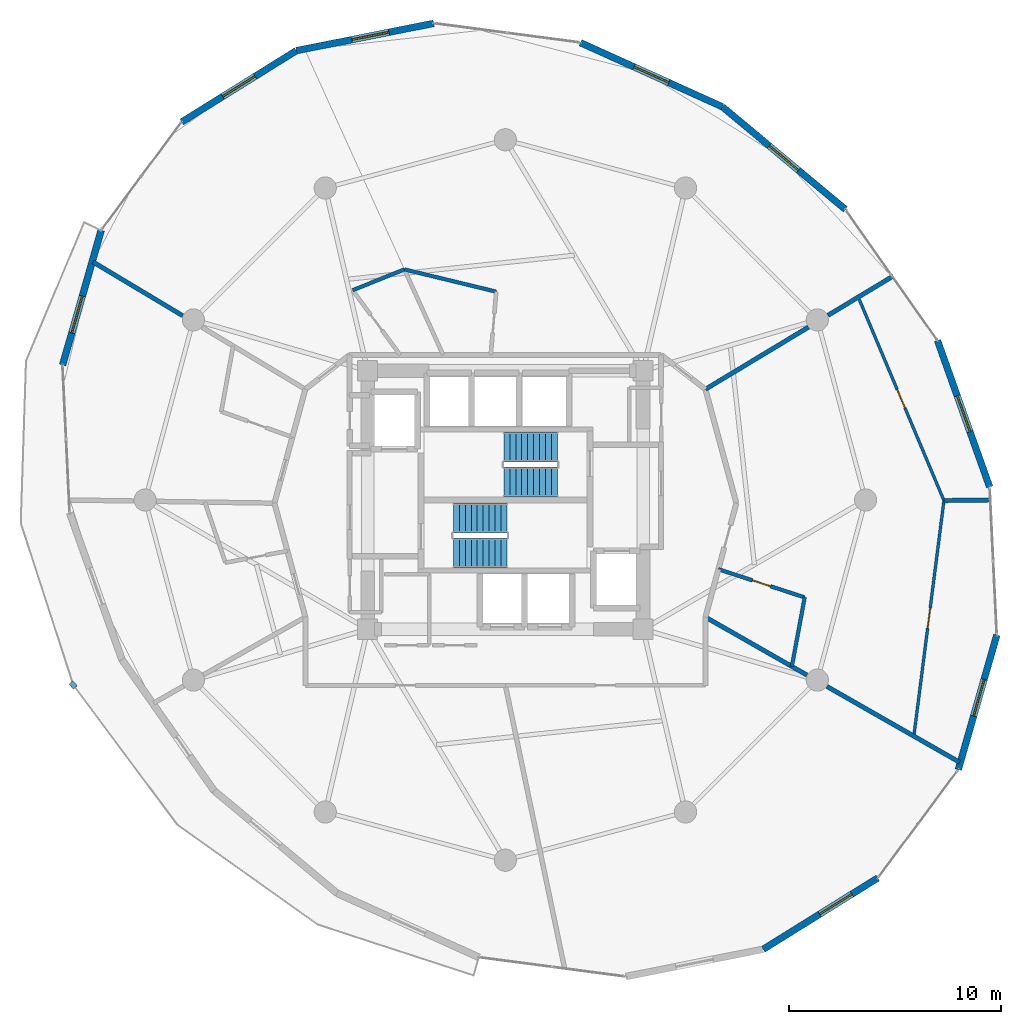
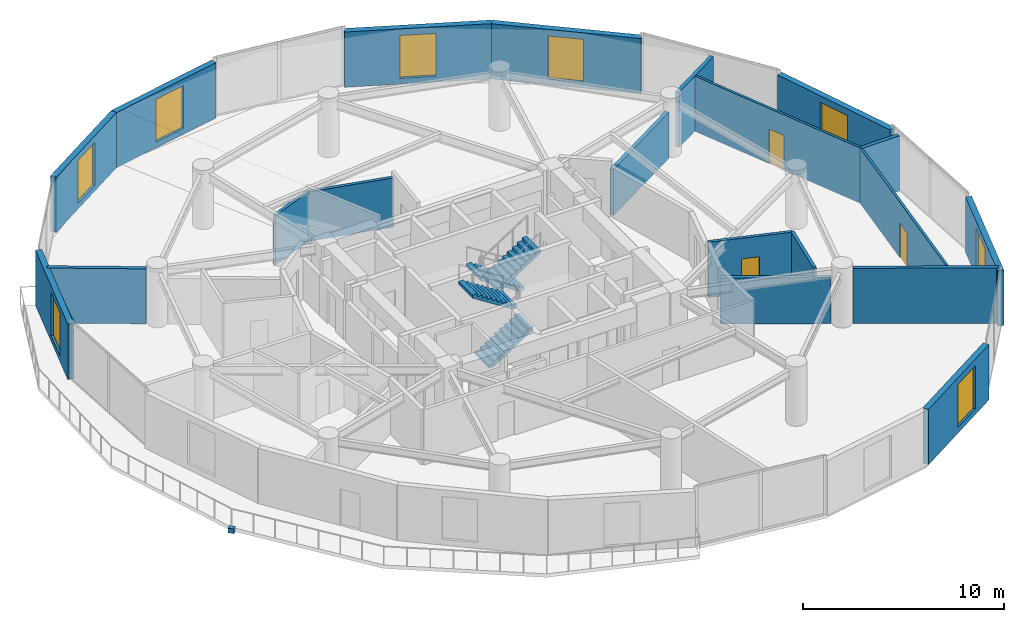
# One storey, part 20 of 22: 20 walls, 8 windows, 4 stair flights, 3 doors, 1 discrete accessory, 11 openings, 2 elements without a shape of their own.
"""IFC4 building model written with IfcOpenShell, lengths in metres."""

from ifc_helpers import new_model, si_unit, direction, frame, frame_2d, origin, origin_2d, place, context, subcontext, project, spatial, polyline, rectangle, outline, extrude, material, layer, layer_set, type_object, element, fill, aggregate, save


model = new_model("IFC4")

# Units and contexts
model_context = context("Model", 3, precision=1e-05, world=origin(), true_north=direction((0.0, 1.0)))
body_context = subcontext(model_context, "Body", "Model", "MODEL_VIEW")
ifc_project = project(units=[si_unit("LENGTHUNIT", "METRE"), si_unit("AREAUNIT", "SQUARE_METRE"), si_unit("VOLUMEUNIT", "CUBIC_METRE"), si_unit("PLANEANGLEUNIT", "RADIAN"), si_unit("MASSUNIT", "GRAM", prefix="KILO")], contexts=[model_context])

# Site, building, storey
site_placement = place(None, origin())
site = spatial("IfcSite", under=ifc_project, at=site_placement, CompositionType="ELEMENT")
building_placement = place(site_placement, origin())
building = spatial("IfcBuilding", under=site, at=building_placement, Name="Solvirekh Grand Hotel", CompositionType="ELEMENT")
storey_placement = place(building_placement, frame((0.0, 0.0, 153.0)))
storey = spatial("IfcBuildingStorey", under=building, at=storey_placement, Name="L39", CompositionType="ELEMENT", Elevation=153.0)

# Wall, opening, window
ifc_material_1 = material(Name="Precast concrete C45/55", Category="concrete")
ifc_layer_1 = layer(ifc_material_1, 0.320068359375)
ifc_layer_set_1 = layer_set([ifc_layer_1], Name="Precast concrete C45/55")
wall_type_1 = type_object("IfcWallType", Name="ExtLobbyWall_RC320", PredefinedType="SOLIDWALL", material=ifc_layer_set_1)
wall_1_placement = place(storey_placement, frame((23.195068359375, -6.368896484375, 0.0), z_axis=(0.0, 0.0, 1.0), x_axis=(-0.275067292431, -0.961424976082, 0.0)))
wall_1 = element("IfcWall", 1, at=wall_1_placement, inside=storey, type_object=wall_type_1, Name="L39 exterior structural wall chord 2", PredefinedType="SOLIDWALL", context=body_context, shape_type="SweptSolid", body=[
    extrude(rectangle(XDim=6.61328125, YDim=0.320068359375, at=frame_2d((3.306640625, 0.0))), origin(), (0.0, 0.0, 1.0), 3.35009765625),
])
opening_1_placement = place(wall_1_placement, frame((2.179931640625, 0.0, 0.35009765625)))
opening_1 = element("IfcOpeningElement", 2, at=opening_1_placement, cuts=wall_1, Name="Opening W02", PredefinedType="OPENING", context=body_context, shape_type="SweptSolid", body=[
    extrude(rectangle(XDim=1.800048828125, YDim=2.60009765625, at=frame_2d((0.89990234375, 1.300048828125))), frame((0.0, 0.169921875, 0.0), z_axis=(0.0, -1.0, 0.0), x_axis=(1.0, 0.0, 0.0)), (0.0, 0.0, 1.0), 0.340087890625),
])
ifc_material_2 = material(Name="Low-E Tinted Bronze Laminated Glass", Category="aluminium")
window_type = type_object("IfcWindowType", Name="Win_LobbyExt_1800X2600", PartitioningType="SINGLE_PANEL", PredefinedType="WINDOW", material=ifc_material_2)
window_1_placement = place(opening_1_placement, origin())
window_1 = element("IfcWindow", 3, at=window_1_placement, inside=storey, type_object=window_type, Name="L39 panoramic bronze-framed window 2", OverallHeight=2.60009765625, OverallWidth=1.800048828125, PartitioningType="SINGLE_PANEL", PredefinedType="WINDOW", context=body_context, shape_type="SweptSolid", body=[
    extrude(rectangle(XDim=1.800048828125, YDim=2.60009765625, at=frame_2d((0.89990234375, 1.300048828125))), frame((0.0, 0.030029296875, 0.0), z_axis=(0.0, -1.0, 0.0), x_axis=(1.0, 0.0, 0.0)), (0.0, 0.0, 1.0), 0.06005859375),
])
fill(opening_1, window_1)

wall_2_placement = place(storey_placement, frame((20.39306640625, 7.532958984375, 0.0), z_axis=(0.0, 0.0, 1.0), x_axis=(0.335384656609, -0.942081276808, 0.0)))
wall_2 = element("IfcWall", 4, at=wall_2_placement, inside=storey, type_object=wall_type_1, Name="L39 exterior structural wall chord 4", PredefinedType="SOLIDWALL", context=body_context, shape_type="SweptSolid", body=[
    extrude(rectangle(XDim=7.346435546875, YDim=0.320068359375, at=frame_2d((3.67333984375, 0.0))), origin(), (0.0, 0.0, 1.0), 3.35009765625),
])
opening_2_placement = place(wall_2_placement, frame((2.77294921875, 0.0, 0.35009765625)))
opening_2 = element("IfcOpeningElement", 5, at=opening_2_placement, cuts=wall_2, Name="Opening W02", PredefinedType="OPENING", context=body_context, shape_type="SweptSolid", body=[
    extrude(rectangle(XDim=1.800048828125, YDim=2.60009765625, at=frame_2d((0.89990234375, 1.300048828125))), frame((0.0, 0.169921875, 0.0), z_axis=(0.0, -1.0, 0.0), x_axis=(1.0, 0.0, 0.0)), (0.0, 0.0, 1.0), 0.340087890625),
])
window_2_placement = place(opening_2_placement, origin())
window_2 = element("IfcWindow", 6, at=window_2_placement, inside=storey, type_object=window_type, Name="L39 panoramic bronze-framed window 4", OverallHeight=2.60009765625, OverallWidth=1.800048828125, PartitioningType="SINGLE_PANEL", PredefinedType="WINDOW", context=body_context, shape_type="SweptSolid", body=[
    extrude(rectangle(XDim=1.800048828125, YDim=2.60009765625, at=frame_2d((0.89990234375, 1.300048828125))), frame((0.0, 0.030029296875, 0.0), z_axis=(0.0, -1.0, 0.0), x_axis=(1.0, 0.0, 0.0)), (0.0, 0.0, 1.0), 0.06005859375),
])
fill(opening_2, window_2)

wall_3_placement = place(storey_placement, frame((10.240966796875, 18.55810546875, 0.0), z_axis=(0.0, 0.0, 1.0), x_axis=(0.767985599943, -0.640467109445, 0.0)))
wall_3 = element("IfcWall", 7, at=wall_3_placement, inside=storey, type_object=wall_type_1, Name="L39 exterior structural wall chord 6", PredefinedType="SOLIDWALL", context=body_context, shape_type="SweptSolid", body=[
    extrude(rectangle(XDim=7.55859375, YDim=0.320068359375, at=frame_2d((3.779296875, 0.0))), origin(), (0.0, 0.0, 1.0), 3.35009765625),
])
opening_3_placement = place(wall_3_placement, frame((2.87890625, 0.0, 0.35009765625)))
opening_3 = element("IfcOpeningElement", 8, at=opening_3_placement, cuts=wall_3, Name="Opening W02", PredefinedType="OPENING", context=body_context, shape_type="SweptSolid", body=[
    extrude(rectangle(XDim=1.800048828125, YDim=2.60009765625, at=frame_2d((0.89990234375, 1.300048828125))), frame((0.0, 0.169921875, 0.0), z_axis=(0.0, -1.0, 0.0), x_axis=(1.0, 0.0, 0.0)), (0.0, 0.0, 1.0), 0.340087890625),
])
window_3_placement = place(opening_3_placement, origin())
window_3 = element("IfcWindow", 9, at=window_3_placement, inside=storey, type_object=window_type, Name="L39 panoramic bronze-framed window 6", OverallHeight=2.60009765625, OverallWidth=1.800048828125, PartitioningType="SINGLE_PANEL", PredefinedType="WINDOW", context=body_context, shape_type="SweptSolid", body=[
    extrude(rectangle(XDim=1.800048828125, YDim=2.60009765625, at=frame_2d((0.89990234375, 1.300048828125))), frame((0.0, 0.030029296875, 0.0), z_axis=(0.0, -1.0, 0.0), x_axis=(1.0, 0.0, 0.0)), (0.0, 0.0, 1.0), 0.06005859375),
])
fill(opening_3, window_3)

wall_4_placement = place(storey_placement, frame((3.5458984375, 21.5830078125, 0.0), z_axis=(0.0, 0.0, 1.0), x_axis=(0.911303033268, -0.411736300995, 0.0)))
wall_4 = element("IfcWall", 10, at=wall_4_placement, inside=storey, type_object=wall_type_1, Name="L39 exterior structural wall chord 7", PredefinedType="SOLIDWALL", context=body_context, shape_type="SweptSolid", body=[
    extrude(rectangle(XDim=7.3466796875, YDim=0.320068359375, at=frame_2d((3.67333984375, 0.0))), origin(), (0.0, 0.0, 1.0), 3.35009765625),
])
opening_4_placement = place(wall_4_placement, frame((2.77294921875, 0.0, 0.35009765625)))
opening_4 = element("IfcOpeningElement", 11, at=opening_4_placement, cuts=wall_4, Name="Opening W02", PredefinedType="OPENING", context=body_context, shape_type="SweptSolid", body=[
    extrude(rectangle(XDim=1.800048828125, YDim=2.60009765625, at=frame_2d((0.89990234375, 1.300048828125))), frame((0.0, 0.169921875, 0.0), z_axis=(0.0, -1.0, 0.0), x_axis=(1.0, 0.0, 0.0)), (0.0, 0.0, 1.0), 0.340087890625),
])
window_4_placement = place(opening_4_placement, origin())
window_4 = element("IfcWindow", 12, at=window_4_placement, inside=storey, type_object=window_type, Name="L39 panoramic bronze-framed window 7", OverallHeight=2.60009765625, OverallWidth=1.800048828125, PartitioningType="SINGLE_PANEL", PredefinedType="WINDOW", context=body_context, shape_type="SweptSolid", body=[
    extrude(rectangle(XDim=1.800048828125, YDim=2.60009765625, at=frame_2d((0.89990234375, 1.300048828125))), frame((0.0, 0.030029296875, 0.0), z_axis=(0.0, -1.0, 0.0), x_axis=(1.0, 0.0, 0.0)), (0.0, 0.0, 1.0), 0.06005859375),
])
fill(opening_4, window_4)

wall_5_placement = place(storey_placement, frame((-9.868896484375, 21.205078125, 0.0), z_axis=(0.0, 0.0, 1.0), x_axis=(0.980781820462, 0.195107715508, 0.0)))
wall_5 = element("IfcWall", 13, at=wall_5_placement, inside=storey, type_object=wall_type_1, Name="L39 exterior structural wall chord 9", PredefinedType="SOLIDWALL", context=body_context, shape_type="SweptSolid", body=[
    extrude(rectangle(XDim=6.61181640625, YDim=0.320068359375, at=frame_2d((3.305908203125, 0.0))), origin(), (0.0, 0.0, 1.0), 3.35009765625),
])
opening_5_placement = place(wall_5_placement, frame((2.660888671875, 0.0, 0.35009765625)))
opening_5 = element("IfcOpeningElement", 14, at=opening_5_placement, cuts=wall_5, Name="Opening W02", PredefinedType="OPENING", context=body_context, shape_type="SweptSolid", body=[
    extrude(rectangle(XDim=1.800048828125, YDim=2.60009765625, at=frame_2d((0.89990234375, 1.300048828125))), frame((0.0, 0.169921875, 0.0), z_axis=(0.0, -1.0, 0.0), x_axis=(1.0, 0.0, 0.0)), (0.0, 0.0, 1.0), 0.340087890625),
])
window_5_placement = place(opening_5_placement, origin())
window_5 = element("IfcWindow", 15, at=window_5_placement, inside=storey, type_object=window_type, Name="L39 panoramic bronze-framed window 9", OverallHeight=2.60009765625, OverallWidth=1.800048828125, PartitioningType="SINGLE_PANEL", PredefinedType="WINDOW", context=body_context, shape_type="SweptSolid", body=[
    extrude(rectangle(XDim=1.800048828125, YDim=2.60009765625, at=frame_2d((0.89990234375, 1.300048828125))), frame((0.0, 0.030029296875, 0.0), z_axis=(0.0, -1.0, 0.0), x_axis=(1.0, 0.0, 0.0)), (0.0, 0.0, 1.0), 0.06005859375),
])
fill(opening_5, window_5)

wall_6_placement = place(storey_placement, frame((-15.277099609375, 17.839111328125, 0.0), z_axis=(0.0, 0.0, 1.0), x_axis=(0.848995855188, 0.528399505935, 0.0)))
wall_6 = element("IfcWall", 16, at=wall_6_placement, inside=storey, type_object=wall_type_1, Name="L39 exterior structural wall chord 10", PredefinedType="SOLIDWALL", context=body_context, shape_type="SweptSolid", body=[
    extrude(rectangle(XDim=6.3701171875, YDim=0.320068359375, at=frame_2d((3.18505859375, 0.0))), origin(), (0.0, 0.0, 1.0), 3.35009765625),
])
opening_6_placement = place(wall_6_placement, frame((2.284912109375, 0.0, 0.35009765625)))
opening_6 = element("IfcOpeningElement", 17, at=opening_6_placement, cuts=wall_6, Name="Opening W02", PredefinedType="OPENING", context=body_context, shape_type="SweptSolid", body=[
    extrude(rectangle(XDim=1.800048828125, YDim=2.60009765625, at=frame_2d((0.89990234375, 1.300048828125))), frame((0.0, 0.169921875, 0.0), z_axis=(0.0, -1.0, 0.0), x_axis=(1.0, 0.0, 0.0)), (0.0, 0.0, 1.0), 0.340087890625),
])
window_6_placement = place(opening_6_placement, origin())
window_6 = element("IfcWindow", 18, at=window_6_placement, inside=storey, type_object=window_type, Name="L39 panoramic bronze-framed window 10", OverallHeight=2.60009765625, OverallWidth=1.800048828125, PartitioningType="SINGLE_PANEL", PredefinedType="WINDOW", context=body_context, shape_type="SweptSolid", body=[
    extrude(rectangle(XDim=1.800048828125, YDim=2.60009765625, at=frame_2d((0.89990234375, 1.300048828125))), frame((0.0, 0.030029296875, 0.0), z_axis=(0.0, -1.0, 0.0), x_axis=(1.0, 0.0, 0.0)), (0.0, 0.0, 1.0), 0.06005859375),
])
fill(opening_6, window_6)

wall_7_placement = place(storey_placement, frame((-20.89501953125, 6.368896484375, 0.0), z_axis=(0.0, 0.0, 1.0), x_axis=(0.275067292431, 0.961424976082, 0.0)))
wall_7 = element("IfcWall", 19, at=wall_7_placement, inside=storey, type_object=wall_type_1, Name="L39 exterior structural wall chord 12", PredefinedType="SOLIDWALL", context=body_context, shape_type="SweptSolid", body=[
    extrude(rectangle(XDim=6.61328125, YDim=0.320068359375, at=frame_2d((3.306640625, 0.0))), origin(), (0.0, 0.0, 1.0), 3.35009765625),
])
opening_7_placement = place(wall_7_placement, frame((1.5869140625, 0.0, 0.35009765625)))
opening_7 = element("IfcOpeningElement", 20, at=opening_7_placement, cuts=wall_7, Name="Opening W02", PredefinedType="OPENING", context=body_context, shape_type="SweptSolid", body=[
    extrude(rectangle(XDim=1.800048828125, YDim=2.60009765625, at=frame_2d((0.89990234375, 1.300048828125))), frame((0.0, 0.169921875, 0.0), z_axis=(0.0, -1.0, 0.0), x_axis=(1.0, 0.0, 0.0)), (0.0, 0.0, 1.0), 0.340087890625),
])
window_7_placement = place(opening_7_placement, origin())
window_7 = element("IfcWindow", 21, at=window_7_placement, inside=storey, type_object=window_type, Name="L39 panoramic bronze-framed window 12", OverallHeight=2.60009765625, OverallWidth=1.800048828125, PartitioningType="SINGLE_PANEL", PredefinedType="WINDOW", context=body_context, shape_type="SweptSolid", body=[
    extrude(rectangle(XDim=1.800048828125, YDim=2.60009765625, at=frame_2d((0.89990234375, 1.300048828125))), frame((0.0, 0.030029296875, 0.0), z_axis=(0.0, -1.0, 0.0), x_axis=(1.0, 0.0, 0.0)), (0.0, 0.0, 1.0), 0.06005859375),
])
fill(opening_7, window_7)

wall_8_placement = place(storey_placement, frame((17.576904296875, -17.839111328125, 0.0), z_axis=(0.0, 0.0, 1.0), x_axis=(-0.848985153837, -0.52841669974, 0.0)))
wall_8 = element("IfcWall", 22, at=wall_8_placement, inside=storey, type_object=wall_type_1, Name="L39 exterior structural wall chord 20", PredefinedType="SOLIDWALL", context=body_context, shape_type="SweptSolid", body=[
    extrude(rectangle(XDim=6.369873046875, YDim=0.320068359375, at=frame_2d((3.18505859375, 0.0))), origin(), (0.0, 0.0, 1.0), 3.35009765625),
])
opening_8_placement = place(wall_8_placement, frame((1.43603515625, 0.0, 0.35009765625)))
opening_8 = element("IfcOpeningElement", 23, at=opening_8_placement, cuts=wall_8, Name="Opening W02", PredefinedType="OPENING", context=body_context, shape_type="SweptSolid", body=[
    extrude(rectangle(XDim=1.800048828125, YDim=2.60009765625, at=frame_2d((0.89990234375, 1.300048828125))), frame((0.0, 0.169921875, 0.0), z_axis=(0.0, -1.0, 0.0), x_axis=(1.0, 0.0, 0.0)), (0.0, 0.0, 1.0), 0.340087890625),
])
window_8_placement = place(opening_8_placement, origin())
window_8 = element("IfcWindow", 24, at=window_8_placement, inside=storey, type_object=window_type, Name="L39 panoramic bronze-framed window 20", OverallHeight=2.60009765625, OverallWidth=1.800048828125, PartitioningType="SINGLE_PANEL", PredefinedType="WINDOW", context=body_context, shape_type="SweptSolid", body=[
    extrude(rectangle(XDim=1.800048828125, YDim=2.60009765625, at=frame_2d((0.89990234375, 1.300048828125))), frame((0.0, 0.030029296875, 0.0), z_axis=(0.0, -1.0, 0.0), x_axis=(1.0, 0.0, 0.0)), (0.0, 0.0, 1.0), 0.06005859375),
])
fill(opening_8, window_8)

# Wall, opening, door
ifc_material_3 = material(Name="Acoustic Gypsum Partition Assembly")
ifc_layer_2 = layer(ifc_material_3, 0.135009765625)
ifc_layer_set_2 = layer_set([ifc_layer_2], Name="Acoustic Gypsum Partition Assembly")
wall_type_2 = type_object("IfcWallType", Name="Part_RoomInt_135", PredefinedType="PARTITIONING", material=ifc_layer_set_2)
wall_9_placement = place(storey_placement, frame((19.277099609375, -11.14306640625, 0.0), z_axis=(0.0, 0.0, 1.0), x_axis=(0.126707598937, 0.991940111283, 0.0)))
wall_9 = element("IfcWall", 25, at=wall_9_placement, inside=storey, type_object=wall_type_2, Name="L39 Executive Suite 4105 Living Room bedroom screen wall", PredefinedType="PARTITIONING", context=body_context, shape_type="SweptSolid", body=[
    extrude(rectangle(XDim=11.206298828125, YDim=0.135009765625, at=frame_2d((5.60302734375, 0.0))), origin(), (0.0, 0.0, 1.0), 3.35009765625),
])
opening_9_placement = place(wall_9_placement, frame((5.1279296875, 0.0, 0.0)))
opening_9 = element("IfcOpeningElement", 26, at=opening_9_placement, cuts=wall_9, Name="Opening D10", PredefinedType="OPENING", context=body_context, shape_type="SweptSolid", body=[
    extrude(rectangle(XDim=0.949951171875, YDim=2.10009765625, at=frame_2d((0.47509765625, 1.050048828125))), frame((0.0, 0.07763671875, 0.0), z_axis=(0.0, -1.0, 0.0), x_axis=(1.0, 0.0, 0.0)), (0.0, 0.0, 1.0), 0.155029296875),
])
ifc_material_4 = material(Name="Anodized Bronze Aluminium 6063-T6", Category="aluminium")
door_type_1 = type_object("IfcDoorType", Name="Door_RoomInt_950X2100", OperationType="NOTDEFINED", PredefinedType="DOOR", material=ifc_material_4)
door_1_placement = place(opening_9_placement, origin())
door_1 = element("IfcDoor", 27, at=door_1_placement, inside=storey, type_object=door_type_1, Name="L39 Executive Suite 4105 Living Room master bedroom door", OperationType="SINGLE_SWING_RIGHT", OverallHeight=2.10009765625, OverallWidth=0.949951171875, PredefinedType="DOOR", context=body_context, shape_type="SweptSolid", body=[
    extrude(rectangle(XDim=0.949951171875, YDim=2.10009765625, at=frame_2d((0.47509765625, 1.050048828125))), frame((0.0, 0.02490234375, 0.0), z_axis=(0.0, -1.0, 0.0), x_axis=(1.0, 0.0, 0.0)), (0.0, 0.0, 1.0), 0.050048828125),
])
fill(opening_9, door_1)

wall_10_placement = place(storey_placement, frame((20.697021484375, -0.027099609375, 0.0), z_axis=(0.0, 0.0, 1.0), x_axis=(-0.388057000058, 0.921635375138, 0.0)))
wall_10 = element("IfcWall", 28, at=wall_10_placement, inside=storey, type_object=wall_type_2, Name="L39 Executive Suite 4105 Panorama Suite Study bedroom screen wall", PredefinedType="PARTITIONING", context=body_context, shape_type="SweptSolid", body=[
    extrude(rectangle(XDim=10.41845703125, YDim=0.135009765625, at=frame_2d((5.209228515625, 0.0))), origin(), (0.0, 0.0, 1.0), 3.35009765625),
])
opening_10_placement = place(wall_10_placement, frame((4.73388671875, 0.0, 0.0)))
opening_10 = element("IfcOpeningElement", 29, at=opening_10_placement, cuts=wall_10, Name="Opening D10", PredefinedType="OPENING", context=body_context, shape_type="SweptSolid", body=[
    extrude(rectangle(XDim=0.949951171875, YDim=2.10009765625, at=frame_2d((0.47509765625, 1.050048828125))), frame((0.0, 0.07763671875, 0.0), z_axis=(0.0, -1.0, 0.0), x_axis=(1.0, 0.0, 0.0)), (0.0, 0.0, 1.0), 0.155029296875),
])
door_2_placement = place(opening_10_placement, origin())
door_2 = element("IfcDoor", 30, at=door_2_placement, inside=storey, type_object=door_type_1, Name="L39 Executive Suite 4105 Panorama Suite Study master bedroom door", OperationType="SINGLE_SWING_LEFT", OverallHeight=2.10009765625, OverallWidth=0.949951171875, PredefinedType="DOOR", context=body_context, shape_type="SweptSolid", body=[
    extrude(rectangle(XDim=0.949951171875, YDim=2.10009765625, at=frame_2d((0.47509765625, 1.050048828125))), frame((0.0, 0.02490234375, 0.0), z_axis=(0.0, -1.0, 0.0), x_axis=(1.0, 0.0, 0.0)), (0.0, 0.0, 1.0), 0.050048828125),
])
fill(opening_10, door_2)

# Walls
ifc_layer_3 = layer(ifc_material_3, 0.2099609375)
ifc_layer_set_3 = layer_set([ifc_layer_3], Name="Acoustic Gypsum Partition Assembly")
wall_type_3 = type_object("IfcWallType", Name="Part_SuiteDemise_210", PredefinedType="PARTITIONING", material=ifc_layer_set_3)
wall_11_placement = place(storey_placement, frame((9.43994140625, 5.22509765625, 0.0), z_axis=(0.0, 0.0, 1.0), x_axis=(0.856412995276, 0.516291372698, 0.0)))
element("IfcWall", 31, at=wall_11_placement, inside=storey, type_object=wall_type_3, Name="L39 suite radial wall 2 (A)", PredefinedType="PARTITIONING", context=body_context, shape_type="SweptSolid", body=[
    extrude(rectangle(XDim=5.675048828125, YDim=0.2099609375, at=frame_2d((2.83740234375, 0.0))), origin(), (0.0, 0.0, 1.0), 2.791015625),
])
wall_12_placement = place(storey_placement, frame((15.22412109375, 8.712890625, 0.0), z_axis=(0.0, 0.0, 1.0), x_axis=(0.856389179425, 0.516330875857, 0.0)))
element("IfcWall", 32, at=wall_12_placement, inside=storey, type_object=wall_type_3, Name="L39 suite radial wall 2 (B)", PredefinedType="PARTITIONING", context=body_context, shape_type="SweptSolid", body=[
    extrude(rectangle(XDim=3.519287109375, YDim=0.2099609375, at=frame_2d((1.759765625, 0.0))), origin(), (0.0, 0.0, 1.0), 3.35009765625),
])
wall_13_placement = place(storey_placement, frame((-15.22998046875, 8.697998046875, 0.0), z_axis=(0.0, 0.0, 1.0), x_axis=(-0.857588949281, 0.514335682285, 0.0)))
element("IfcWall", 33, at=wall_13_placement, inside=storey, type_object=wall_type_3, Name="L39 suite radial wall 6 (B)", PredefinedType="PARTITIONING", context=body_context, shape_type="SweptSolid", body=[
    extrude(rectangle(XDim=4.9345703125, YDim=0.2099609375, at=frame_2d((2.46728515625, 0.0))), origin(), (0.0, 0.0, 1.0), 3.35009765625),
])
wall_14_placement = place(storey_placement, frame((9.43994140625, -5.52490234375, 0.0), z_axis=(0.0, 0.0, 1.0), x_axis=(0.868338411793, -0.495972179265, 0.0)))
element("IfcWall", 34, at=wall_14_placement, inside=storey, type_object=wall_type_3, Name="L39 suite radial wall 12 (A)", PredefinedType="PARTITIONING", context=body_context, shape_type="SweptSolid", body=[
    extrude(rectangle(XDim=5.5185546875, YDim=0.2099609375, at=frame_2d((2.75927734375, 0.0))), origin(), (0.0, 0.0, 1.0), 2.791015625),
])
wall_15_placement = place(storey_placement, frame((15.176025390625, -8.801025390625, 0.0), z_axis=(0.0, 0.0, 1.0), x_axis=(0.868374410063, -0.495909148885, 0.0)))
element("IfcWall", 35, at=wall_15_placement, inside=storey, type_object=wall_type_3, Name="L39 suite radial wall 12 (B)", PredefinedType="PARTITIONING", context=body_context, shape_type="SweptSolid", body=[
    extrude(rectangle(XDim=7.208984375, YDim=0.2099609375, at=frame_2d((3.6044921875, 0.0))), origin(), (0.0, 0.0, 1.0), 3.35009765625),
])
wall_16_placement = place(storey_placement, frame((20.697021484375, -0.027099609375, 0.0), z_axis=(0.0, 0.0, 1.0), x_axis=(0.999920565924, 0.012604040747, 0.0)))
element("IfcWall", 36, at=wall_16_placement, inside=storey, type_object=wall_type_3, Name="L39 Executive Suite 4105 Living Room dividing partition 1", PredefinedType="PARTITIONING", context=body_context, shape_type="SweptSolid", body=[
    extrude(rectangle(XDim=2.150146484375, YDim=0.2099609375, at=frame_2d((1.0751953125, 0.0))), origin(), (0.0, 0.0, 1.0), 3.35009765625),
])
ifc_layer_4 = layer(ifc_material_3, 0.175048828125)
ifc_layer_set_4 = layer_set([ifc_layer_4], Name="Acoustic Gypsum Partition Assembly")
wall_type_4 = type_object("IfcWallType", Name="Plumb_Ensuite_175", PredefinedType="PLUMBINGWALL", material=ifc_layer_set_4)
wall_17_placement = place(storey_placement, frame((-4.76611328125, 10.881103515625, 0.0), z_axis=(0.0, 0.0, 1.0), x_axis=(0.971896797285, -0.235407339366, 0.0)))
element("IfcWall", 37, at=wall_17_placement, inside=storey, type_object=wall_type_4, Name="L39 En-suite Bathroom 4101 outer plumbing wall", PredefinedType="PLUMBINGWALL", context=body_context, shape_type="SweptSolid", body=[
    extrude(rectangle(XDim=4.46044921875, YDim=0.175048828125, at=frame_2d((2.230224609375, 0.0))), origin(), (0.0, 0.0, 1.0), 2.985107421875),
])
wall_18_placement = place(storey_placement, frame((-7.20703125, 9.89990234375, 0.0), z_axis=(0.0, 0.0, 1.0), x_axis=(0.927841720979, 0.372974182498, 0.0)))
element("IfcWall", 38, at=wall_18_placement, inside=storey, type_object=wall_type_4, Name="L39 En-suite Bathroom 4102 outer plumbing wall", PredefinedType="PLUMBINGWALL", context=body_context, shape_type="SweptSolid", body=[
    extrude(rectangle(XDim=2.630859375, YDim=0.175048828125, at=frame_2d((1.3154296875, 0.0))), origin(), (0.0, 0.0, 1.0), 2.985107421875),
])
wall_19_placement = place(storey_placement, frame((13.51904296875, -7.85400390625, 0.0), z_axis=(0.0, 0.0, 1.0), x_axis=(0.182904603297, 0.983130665829, 0.0)))
element("IfcWall", 39, at=wall_19_placement, inside=storey, type_object=wall_type_4, Name="L39 En-suite Bathroom 4105 outer plumbing wall", PredefinedType="PLUMBINGWALL", context=body_context, shape_type="SweptSolid", body=[
    extrude(rectangle(XDim=3.31298828125, YDim=0.175048828125, at=frame_2d((1.656494140625, 0.0))), origin(), (0.0, 0.0, 1.0), 3.35009765625),
])

# Wall, opening, door
wall_20_placement = place(storey_placement, frame((10.052978515625, -3.26806640625, 0.0), z_axis=(0.0, 0.0, 1.0), x_axis=(0.95065932904, -0.310236748484, 0.0)))
wall_20 = element("IfcWall", 40, at=wall_20_placement, inside=storey, type_object=wall_type_4, Name="L39 En-suite Bathroom 4105 entry plumbing wall", PredefinedType="PLUMBINGWALL", context=body_context, shape_type="SweptSolid", body=[
    extrude(rectangle(XDim=4.283447265625, YDim=0.175048828125, at=frame_2d((2.1416015625, 0.0))), origin(), (0.0, 0.0, 1.0), 3.35009765625),
])
opening_11_placement = place(wall_20_placement, frame((1.69189453125, 0.0, 0.0)))
opening_11 = element("IfcOpeningElement", 41, at=opening_11_placement, cuts=wall_20, Name="Opening D09", PredefinedType="OPENING", context=body_context, shape_type="SweptSolid", body=[
    extrude(rectangle(XDim=0.89990234375, YDim=2.10009765625, at=frame_2d((0.449951171875, 1.050048828125))), frame((0.0, 0.09765625, 0.0), z_axis=(0.0, -1.0, 0.0), x_axis=(1.0, 0.0, 0.0)), (0.0, 0.0, 1.0), 0.195068359375),
])
door_type_2 = type_object("IfcDoorType", Name="Door_Ensuite_900X2100", OperationType="NOTDEFINED", PredefinedType="DOOR", material=ifc_material_4)
door_3_placement = place(opening_11_placement, origin())
door_3 = element("IfcDoor", 42, at=door_3_placement, inside=storey, type_object=door_type_2, Name="L39 En-suite Bathroom 4105 door", OperationType="SINGLE_SWING_RIGHT", OverallHeight=2.10009765625, OverallWidth=0.89990234375, PredefinedType="DOOR", context=body_context, shape_type="SweptSolid", body=[
    extrude(rectangle(XDim=0.89990234375, YDim=2.10009765625, at=frame_2d((0.449951171875, 1.050048828125))), frame((0.0, 0.02490234375, 0.0), z_axis=(0.0, -1.0, 0.0), x_axis=(1.0, 0.0, 0.0)), (0.0, 0.0, 1.0), 0.050048828125),
])
fill(opening_11, door_3)

# Stair, stair flights
ifc_material_5 = material(Name="Concrete C40/50", Category="concrete")
stair_type = type_object("IfcStairType", Name="Stair_Core_1450", PredefinedType="HALF_TURN_STAIR", material=ifc_material_5)
stair_1_placement = place(storey_placement, origin())
stair_1 = element("IfcStair", 43, at=stair_1_placement, inside=storey, type_object=stair_type, Name="L39 Enclosed exit stair ST-1", PredefinedType="HALF_TURN_STAIR")
stair_flight_type = type_object("IfcStairFlightType", Name="Flight_Core_1450", PredefinedType="STRAIGHT", material=ifc_material_5)
stair_flight_1_placement = place(storey_placement, frame((-2.449951171875, -2.5, 0.0), z_axis=(0.0, 0.0, 1.0), x_axis=(1.0, 0.0, 0.0)))
stair_flight_1 = element("IfcStairFlight", 44, at=stair_flight_1_placement, type_object=stair_flight_type, Name="ST-1 flight 1", NumberOfRisers=10, NumberOfTreads=9, PredefinedType="STRAIGHT", RiserHeight=0.18, TreadLength=0.28, context=body_context, shape_type="SweptSolid", body=[
    extrude(outline(polyline([(0.0, 0.0), (0.0, 0.179931640625), (0.280029296875, 0.179931640625), (0.280029296875, 0.360107421875), (0.56005859375, 0.360107421875), (0.56005859375, 0.5400390625), (0.840087890625, 0.5400390625), (0.840087890625, 0.719970703125), (1.1201171875, 0.719970703125), (1.1201171875, 0.89990234375), (1.39990234375, 0.89990234375), (1.39990234375, 1.080078125), (1.679931640625, 1.080078125), (1.679931640625, 1.260009765625), (1.9599609375, 1.260009765625), (1.9599609375, 1.43994140625), (2.239990234375, 1.43994140625), (2.239990234375, 1.6201171875), (2.52001953125, 1.6201171875), (2.52001953125, 1.800048828125), (2.52001953125, 1.44189453125), (0.277099609375, 0.0), (0.0, 0.0)])), frame((0.0, 0.699951171875, 0.0), z_axis=(0.0, -1.0, 0.0), x_axis=(1.0, 0.0, 0.0)), (0.0, 0.0, 1.0), 1.39990234375),
])
stair_flight_2_placement = place(storey_placement, frame((0.070068359375, -0.85009765625, 1.800048828125), z_axis=(0.0, 0.0, 1.0), x_axis=(-1.0, 0.0, 0.0)))
stair_flight_2 = element("IfcStairFlight", 45, at=stair_flight_2_placement, type_object=stair_flight_type, Name="ST-1 flight 2", NumberOfRisers=10, NumberOfTreads=9, PredefinedType="STRAIGHT", RiserHeight=0.18, TreadLength=0.28, context=body_context, shape_type="SweptSolid", body=[
    extrude(outline(polyline([(0.0, 0.0), (0.0, 0.179931640625), (0.280029296875, 0.179931640625), (0.280029296875, 0.360107421875), (0.56005859375, 0.360107421875), (0.56005859375, 0.5400390625), (0.840087890625, 0.5400390625), (0.840087890625, 0.719970703125), (1.1201171875, 0.719970703125), (1.1201171875, 0.89990234375), (1.39990234375, 0.89990234375), (1.39990234375, 1.080078125), (1.679931640625, 1.080078125), (1.679931640625, 1.260009765625), (1.9599609375, 1.260009765625), (1.9599609375, 1.43994140625), (2.239990234375, 1.43994140625), (2.239990234375, 1.6201171875), (2.52001953125, 1.6201171875), (2.52001953125, 1.800048828125), (2.52001953125, 1.44189453125), (0.277099609375, 0.0), (0.0, 0.0)])), frame((0.0, 0.699951171875, 0.0), z_axis=(0.0, -1.0, 0.0), x_axis=(1.0, 0.0, 0.0)), (0.0, 0.0, 1.0), 1.39990234375),
])
aggregate(stair_1, [stair_flight_1, stair_flight_2])

stair_2_placement = place(storey_placement, origin())
stair_2 = element("IfcStair", 46, at=stair_2_placement, inside=storey, type_object=stair_type, Name="L39 Enclosed exit stair ST-2", PredefinedType="HALF_TURN_STAIR")
stair_flight_3_placement = place(storey_placement, frame((2.449951171875, 2.5, 0.0), z_axis=(0.0, 0.0, 1.0), x_axis=(-1.0, 0.0, 0.0)))
stair_flight_3 = element("IfcStairFlight", 47, at=stair_flight_3_placement, type_object=stair_flight_type, Name="ST-2 flight 1", NumberOfRisers=10, NumberOfTreads=9, PredefinedType="STRAIGHT", RiserHeight=0.18, TreadLength=0.28, context=body_context, shape_type="SweptSolid", body=[
    extrude(outline(polyline([(0.0, 0.0), (0.0, 0.179931640625), (0.280029296875, 0.179931640625), (0.280029296875, 0.360107421875), (0.56005859375, 0.360107421875), (0.56005859375, 0.5400390625), (0.840087890625, 0.5400390625), (0.840087890625, 0.719970703125), (1.1201171875, 0.719970703125), (1.1201171875, 0.89990234375), (1.39990234375, 0.89990234375), (1.39990234375, 1.080078125), (1.679931640625, 1.080078125), (1.679931640625, 1.260009765625), (1.9599609375, 1.260009765625), (1.9599609375, 1.43994140625), (2.239990234375, 1.43994140625), (2.239990234375, 1.6201171875), (2.52001953125, 1.6201171875), (2.52001953125, 1.800048828125), (2.52001953125, 1.44189453125), (0.277099609375, 0.0), (0.0, 0.0)])), frame((0.0, 0.699951171875, 0.0), z_axis=(0.0, -1.0, 0.0), x_axis=(1.0, 0.0, 0.0)), (0.0, 0.0, 1.0), 1.39990234375),
])
stair_flight_4_placement = place(storey_placement, frame((-0.070068359375, 0.85009765625, 1.800048828125), z_axis=(0.0, 0.0, 1.0), x_axis=(1.0, 0.0, 0.0)))
stair_flight_4 = element("IfcStairFlight", 48, at=stair_flight_4_placement, type_object=stair_flight_type, Name="ST-2 flight 2", NumberOfRisers=10, NumberOfTreads=9, PredefinedType="STRAIGHT", RiserHeight=0.18, TreadLength=0.28, context=body_context, shape_type="SweptSolid", body=[
    extrude(outline(polyline([(0.0, 0.0), (0.0, 0.179931640625), (0.280029296875, 0.179931640625), (0.280029296875, 0.360107421875), (0.56005859375, 0.360107421875), (0.56005859375, 0.5400390625), (0.840087890625, 0.5400390625), (0.840087890625, 0.719970703125), (1.1201171875, 0.719970703125), (1.1201171875, 0.89990234375), (1.39990234375, 0.89990234375), (1.39990234375, 1.080078125), (1.679931640625, 1.080078125), (1.679931640625, 1.260009765625), (1.9599609375, 1.260009765625), (1.9599609375, 1.43994140625), (2.239990234375, 1.43994140625), (2.239990234375, 1.6201171875), (2.52001953125, 1.6201171875), (2.52001953125, 1.800048828125), (2.52001953125, 1.44189453125), (0.277099609375, 0.0), (0.0, 0.0)])), frame((0.0, 0.699951171875, 0.0), z_axis=(0.0, -1.0, 0.0), x_axis=(1.0, 0.0, 0.0)), (0.0, 0.0, 1.0), 1.39990234375),
])
aggregate(stair_2, [stair_flight_3, stair_flight_4])

# Discrete accessory
ifc_material_6 = material(Name="Steel S355", Category="steel")
discrete_accessory_type = type_object("IfcDiscreteAccessoryType", Name="Acc_ThermalBracket", PredefinedType="BRACKET", material=ifc_material_6)
discrete_accessory_placement = place(storey_placement, frame((-20.40087890625, -8.73193359375, -0.27978515625), z_axis=(0.0, 0.0, 1.0), x_axis=(0.676875969683, -0.73609708712, 0.0)))
element("IfcDiscreteAccessory", 49, at=discrete_accessory_placement, inside=storey, type_object=discrete_accessory_type, Name="L39 balcony thermal-break bracket", PredefinedType="BRACKET", context=body_context, shape_type="SweptSolid", body=[
    extrude(rectangle(XDim=0.320068359375, YDim=0.239990234375, at=origin_2d()), origin(), (0.0, 0.0, 1.0), 0.280029296875),
])

save(model, "model.ifc")
